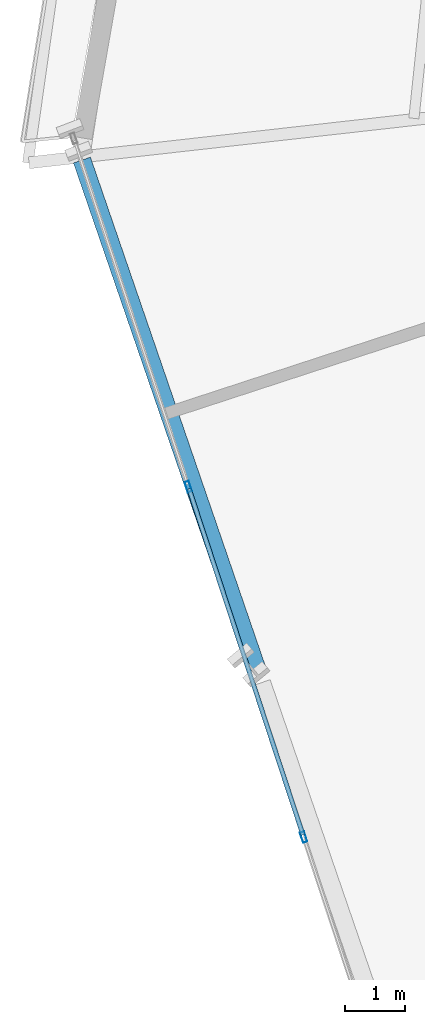
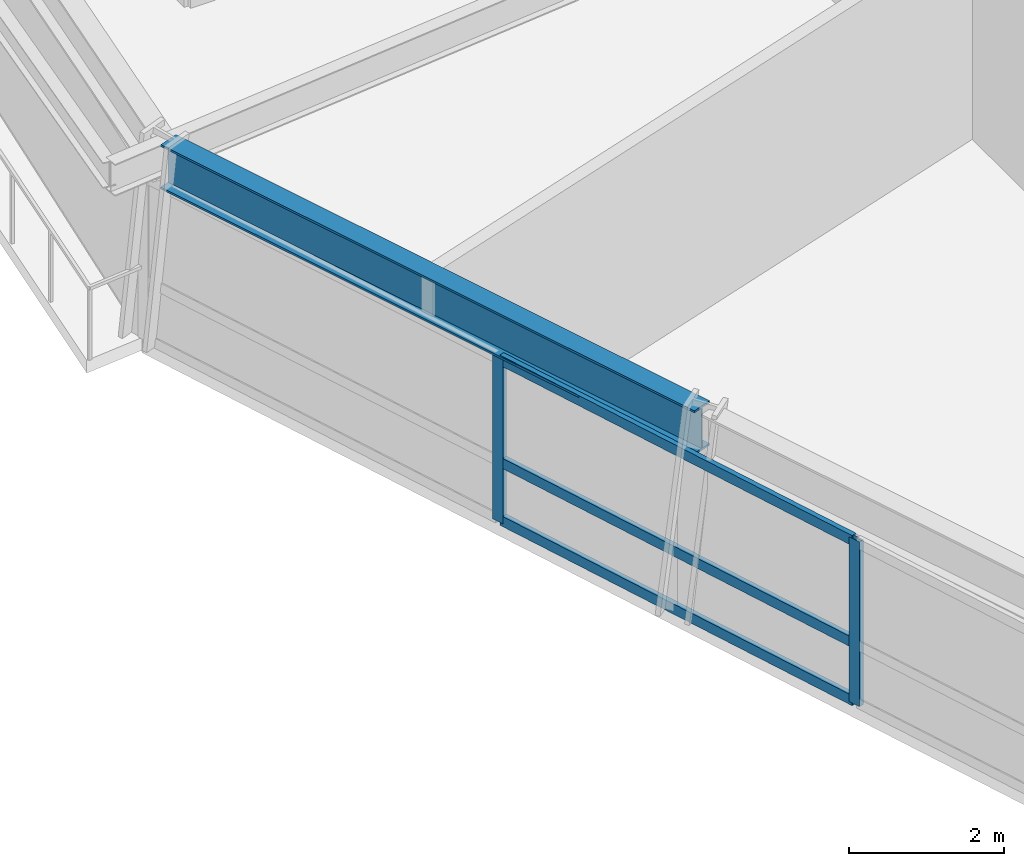
# One storey, part 4 of 22: 5 members, 1 beam, 1 element without a shape of its own.
"""IFC4 building model written with IfcOpenShell, lengths in metres."""

from ifc_helpers import new_model, si_unit, direction, frame, origin, origin_2d, place, context, subcontext, project, spatial, hollow_rectangle, i_section, extrude, source, transform, mapped, material, material_profile, profile_set, type_object, element, aggregate, save


model = new_model("IFC4")

# Units and contexts
model_context = context("Model", 3, precision=1e-05, world=origin(), true_north=direction((0.0, 1.0)))
body_context = subcontext(model_context, "Body", "Model", "MODEL_VIEW")
ifc_project = project(units=[si_unit("LENGTHUNIT", "METRE"), si_unit("AREAUNIT", "SQUARE_METRE"), si_unit("VOLUMEUNIT", "CUBIC_METRE"), si_unit("PLANEANGLEUNIT", "RADIAN"), si_unit("MASSUNIT", "GRAM", prefix="KILO")], contexts=[model_context])

# Site, building, storey
site_placement = place(None, origin())
site = spatial("IfcSite", under=ifc_project, at=site_placement, CompositionType="ELEMENT")
building_placement = place(site_placement, origin())
building = spatial("IfcBuilding", under=site, at=building_placement, Name="Olszyna Solenne Hotel", CompositionType="ELEMENT")
storey_placement = place(building_placement, frame((0.0, 0.0, 57.699951171875)))
storey = spatial("IfcBuildingStorey", under=building, at=storey_placement, Name="L14", CompositionType="ELEMENT", Elevation=57.699951171875)

# Beam
ifc_material_1 = material(Name="Steel S355J2", Category="steel")
ifc_material_profile_1 = material_profile(ifc_material_1, i_section(OverallWidth=0.300048828125, OverallDepth=0.699951171875, WebThickness=0.01708984375, FlangeThickness=0.031982421875, at=origin_2d()), Name="HEB 700", Category="load-bearing")
ifc_profile_set_1 = profile_set([ifc_material_profile_1], Name="Steel S355J2")
beam_type = type_object("IfcBeamType", Name="BM-S1", PredefinedType="BEAM", material=ifc_profile_set_1)
shared_shape_1 = source(origin(), body_context, "Body", "SweptSolid", [
    extrude(i_section(OverallWidth=0.300048828125, OverallDepth=0.699951171875, WebThickness=0.01708984375, FlangeThickness=0.031982421875, at=origin_2d()), origin(), (0.0, 0.0, 1.0), 9.119140625),
])
beam_placement = place(storey_placement, frame((15.866943359375, 24.06298828125, 2.949951171875), z_axis=(0.325153094031, -0.945661390479, 0.0), x_axis=(0.945661390479, 0.325153094031, 0.0)))
element("IfcBeam", 1, at=beam_placement, inside=storey, type_object=beam_type, Name="Perimeter spandrel beam BM-S1 B-L14-0442", PredefinedType="BEAM", context=body_context, shape_type="MappedRepresentation", body=[
    mapped(shared_shape_1, transform((0.0, 0.0, 0.0), x_axis=(1.0, 0.0, 0.0), y_axis=(0.0, 1.0, 0.0), z_axis=(0.0, 0.0, 1.0), scale=1.0)),
])

# Curtain wall, members
ifc_material_2 = material(Name="Anodised bronze aluminium", Category="aluminium")
curtain_wall_type = type_object("IfcCurtainWallType", Name="CW-SYS-2", PredefinedType="NOTDEFINED", material=ifc_material_2)
curtain_wall_placement = place(storey_placement, origin())
curtain_wall = element("IfcCurtainWall", 2, at=curtain_wall_placement, inside=storey, type_object=curtain_wall_type, Name="Unitised curtain wall CW-SYS-2 CW-L14-01", PredefinedType="NOTDEFINED")
ifc_material_profile_2 = material_profile(ifc_material_2, hollow_rectangle(XDim=0.074951171875, YDim=0.179931640625, WallThickness=0.00439453125, at=origin_2d()), Name="MULL 180x75x4.5", Category="load-bearing")
ifc_profile_set_2 = profile_set([ifc_material_profile_2], Name="Anodised bronze aluminium")
member_type_1 = type_object("IfcMemberType", Name="CW-M2", PredefinedType="MULLION", material=ifc_profile_set_2)
shared_shape_2 = source(origin(), body_context, "Body", "SweptSolid", [
    extrude(hollow_rectangle(XDim=0.074951171875, YDim=0.179931640625, WallThickness=0.00439453125, at=origin_2d()), origin(), (0.0, 0.0, 1.0), 2.592041015625),
])
member_1_placement = place(storey_placement, frame((17.645263671875, 18.602294921875, 0.0), z_axis=(0.0, 0.0, 1.0), x_axis=(0.949869512592, 0.312646620081, 0.0)))
member_1 = element("IfcMember", 3, at=member_1_placement, type_object=member_type_1, Name="Curtain-wall mullion CW-M2 CM-L14-01-02", PredefinedType="MULLION", context=body_context, shape_type="MappedRepresentation", body=[
    mapped(shared_shape_2, transform((0.0, 0.0, 0.0), x_axis=(1.0, 0.0, 0.0), y_axis=(0.0, 1.0, 0.0), z_axis=(0.0, 0.0, 1.0), scale=1.0)),
])
member_2_placement = place(storey_placement, frame((19.5732421875, 12.744873046875, 0.0), z_axis=(0.0, 0.0, 1.0), x_axis=(0.949869512592, 0.312646620081, 0.0)))
member_2 = element("IfcMember", 4, at=member_2_placement, type_object=member_type_1, Name="Curtain-wall mullion CW-M2 CM-L14-01-03", PredefinedType="MULLION", context=body_context, shape_type="MappedRepresentation", body=[
    mapped(shared_shape_2, transform((0.0, 0.0, 0.0), x_axis=(1.0, 0.0, 0.0), y_axis=(0.0, 1.0, 0.0), z_axis=(0.0, 0.0, 1.0), scale=1.0)),
])
ifc_material_profile_3 = material_profile(ifc_material_2, hollow_rectangle(XDim=0.074951171875, YDim=0.159912109375, WallThickness=0.00390625, at=origin_2d()), Name="TRAN 160x75x4", Category="load-bearing")
ifc_profile_set_3 = profile_set([ifc_material_profile_3], Name="Anodised bronze aluminium")
member_type_2 = type_object("IfcMemberType", Name="CW-T1", PredefinedType="USERDEFINED", material=ifc_profile_set_3)
shared_shape_3 = source(origin(), body_context, "Body", "SweptSolid", [
    extrude(hollow_rectangle(XDim=0.074951171875, YDim=0.159912109375, WallThickness=0.00390625, at=origin_2d()), origin(), (0.0, 0.0, 1.0), 6.091796875),
])
member_3_placement = place(storey_placement, frame((17.656982421875, 18.566650390625, 0.03759765625), z_axis=(0.312642604847, -0.949870834185, 0.0), x_axis=(0.949870834185, 0.312642604847, 0.0)))
member_3 = element("IfcMember", 5, at=member_3_placement, type_object=member_type_2, Name="Curtain-wall transom CW-T1 CT-L14-01-04", ObjectType="TRANSOM", PredefinedType="USERDEFINED", context=body_context, shape_type="MappedRepresentation", body=[
    mapped(shared_shape_3, transform((0.0, 0.0, 0.0), x_axis=(1.0, 0.0, 0.0), y_axis=(0.0, 1.0, 0.0), z_axis=(0.0, 0.0, 1.0), scale=1.0)),
])
member_4_placement = place(storey_placement, frame((17.656982421875, 18.566650390625, 0.949951171875), z_axis=(0.312642604847, -0.949870834185, 0.0), x_axis=(0.949870834185, 0.312642604847, 0.0)))
member_4 = element("IfcMember", 6, at=member_4_placement, type_object=member_type_2, Name="Curtain-wall transom CW-T1 CT-L14-01-05", ObjectType="TRANSOM", PredefinedType="USERDEFINED", context=body_context, shape_type="MappedRepresentation", body=[
    mapped(shared_shape_3, transform((0.0, 0.0, 0.0), x_axis=(1.0, 0.0, 0.0), y_axis=(0.0, 1.0, 0.0), z_axis=(0.0, 0.0, 1.0), scale=1.0)),
])
member_5_placement = place(storey_placement, frame((17.656982421875, 18.566650390625, 2.554443359375), z_axis=(0.312642604847, -0.949870834185, 0.0), x_axis=(0.949870834185, 0.312642604847, 0.0)))
member_5 = element("IfcMember", 7, at=member_5_placement, type_object=member_type_2, Name="Curtain-wall transom CW-T1 CT-L14-01-06", ObjectType="TRANSOM", PredefinedType="USERDEFINED", context=body_context, shape_type="MappedRepresentation", body=[
    mapped(shared_shape_3, transform((0.0, 0.0, 0.0), x_axis=(1.0, 0.0, 0.0), y_axis=(0.0, 1.0, 0.0), z_axis=(0.0, 0.0, 1.0), scale=1.0)),
])
aggregate(curtain_wall, [member_1, member_2, member_3, member_4, member_5])

save(model, "model.ifc")
